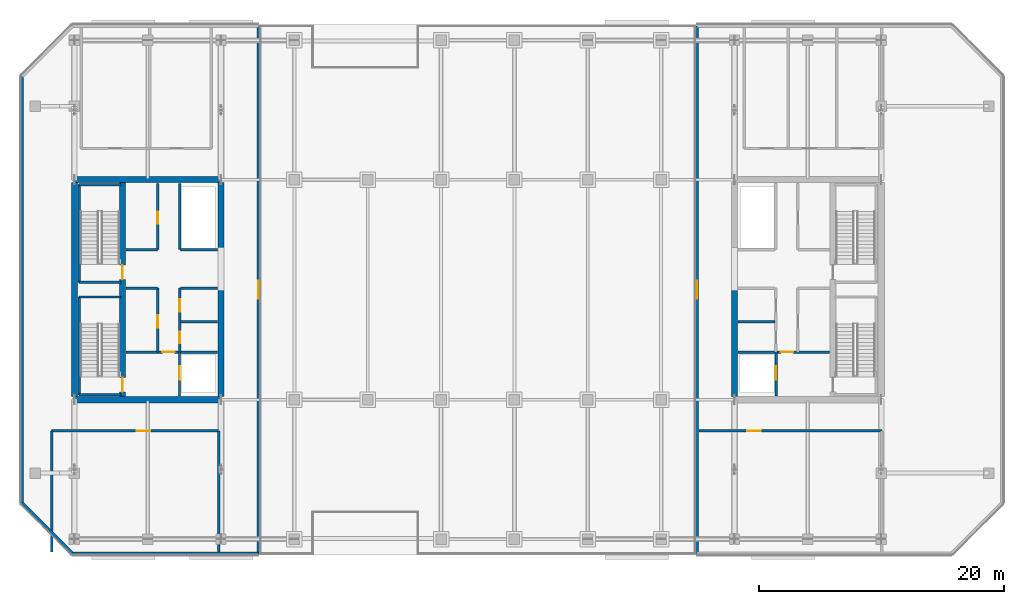
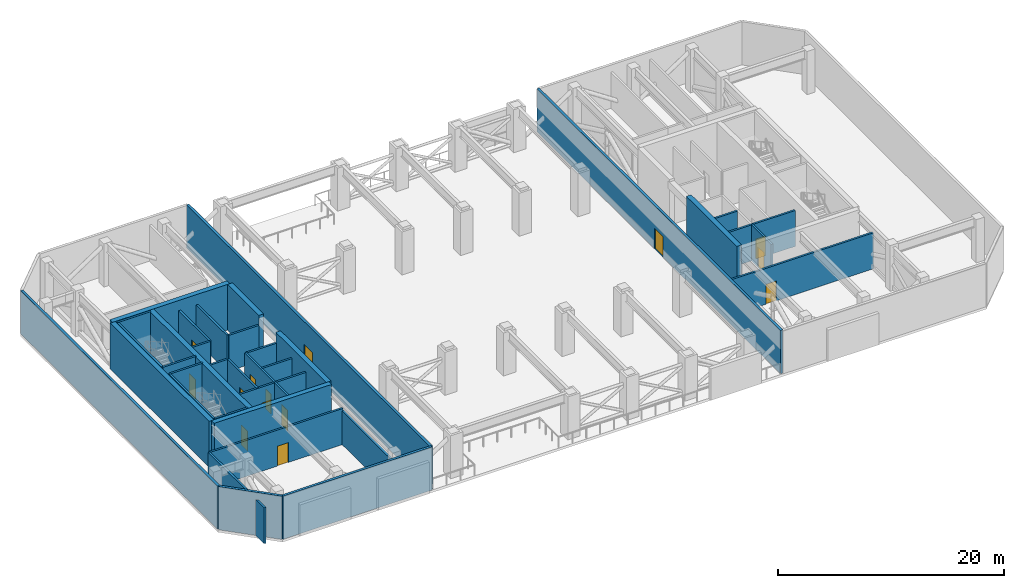
# One storey, part 11 of 18: 36 walls, 14 doors, 14 openings.
"""IFC4 building model written with IfcOpenShell, lengths in metres."""

from ifc_helpers import new_model, si_unit, direction, frame, frame_2d, origin, place, context, subcontext, project, spatial, rectangle, extrude, material, layer, layer_set, type_object, element, fill, save


model = new_model("IFC4")

# Units and contexts
model_context = context("Model", 3, precision=1e-05, world=origin(), true_north=direction((0.0, 1.0)))
body_context = subcontext(model_context, "Body", "Model", "MODEL_VIEW")
ifc_project = project(units=[si_unit("LENGTHUNIT", "METRE"), si_unit("AREAUNIT", "SQUARE_METRE"), si_unit("VOLUMEUNIT", "CUBIC_METRE"), si_unit("PLANEANGLEUNIT", "RADIAN"), si_unit("MASSUNIT", "GRAM", prefix="KILO")], contexts=[model_context])

# Site, building, storey
site_placement = place(None, origin())
site = spatial("IfcSite", under=ifc_project, at=site_placement, CompositionType="ELEMENT")
building_placement = place(site_placement, origin())
building = spatial("IfcBuilding", under=site, at=building_placement, Name="Tanjung Sevakor Pilgrim Tower", CompositionType="ELEMENT")
storey_placement = place(building_placement, frame((0.0, 0.0, 172.919921875)))
storey = spatial("IfcBuildingStorey", under=building, at=storey_placement, Name="L48", CompositionType="ELEMENT", Elevation=172.919921875)

# Walls
ifc_material_1 = material(Name="Concrete C60/75", Category="concrete")
ifc_layer_1 = layer(ifc_material_1, 0.5)
ifc_layer_set_1 = layer_set([ifc_layer_1], Name="WALL-CW-500")
wall_type_1 = type_object("IfcWallType", Name="WALL-CW-500", PredefinedType="SHEAR", material=ifc_layer_set_1)
for number, where, z_axis, x_axis, name in (
    (1, (24.0, 24.60009765625, 0.0), (0.0, 0.0, 1.0), (1.0, 0.0, 0.0), "L48 W Core South Shear Wall"),
    (2, (36.0, 42.60009765625, 0.0), (0.0, 0.0, 1.0), (-1.0, 0.0, 0.0), "L48 W Core North Shear Wall"),
):
    element("IfcWall", number, at=place(storey_placement, frame(where, z_axis=z_axis, x_axis=x_axis)), inside=storey, type_object=wall_type_1, Name=name, PredefinedType="SHEAR", context=body_context, shape_type="SweptSolid", body=[
        extrude(rectangle(XDim=12.0, YDim=0.5, at=frame_2d((6.0, 0.0))), origin(), (0.0, 0.0, 1.0), 4.9501953125),
    ])
wall_1_placement = place(storey_placement, frame((24.0, 24.85009765625, 0.0), z_axis=(0.0, 0.0, 1.0), x_axis=(0.0, 1.0, 0.0)))
element("IfcWall", 3, at=wall_1_placement, inside=storey, type_object=wall_type_1, Name="L48 W Core Outer Shear Wall", PredefinedType="SHEAR", context=body_context, shape_type="SweptSolid", body=[
    extrude(rectangle(XDim=17.5, YDim=0.5, at=frame_2d((8.75, 0.0))), origin(), (0.0, 0.0, 1.0), 4.9501953125),
])
wall_2_placement = place(storey_placement, frame((36.0, 24.85009765625, 0.0), z_axis=(0.0, 0.0, 1.0), x_axis=(0.0, 1.0, 0.0)))
element("IfcWall", 4, at=wall_2_placement, inside=storey, type_object=wall_type_1, Name="L48 W Core Inner Shear Wall South", PredefinedType="SHEAR", context=body_context, shape_type="SweptSolid", body=[
    extrude(rectangle(XDim=8.949951171875, YDim=0.5, at=frame_2d((4.47509765625, 0.0))), origin(), (0.0, 0.0, 1.0), 4.9501953125),
])
wall_3_placement = place(storey_placement, frame((36.0, 36.800048828125, 0.0), z_axis=(0.0, 0.0, 1.0), x_axis=(0.0, 1.0, 0.0)))
element("IfcWall", 5, at=wall_3_placement, inside=storey, type_object=wall_type_1, Name="L48 W Core Inner Shear Wall North", PredefinedType="SHEAR", context=body_context, shape_type="SweptSolid", body=[
    extrude(rectangle(XDim=5.550048828125, YDim=0.5, at=frame_2d((2.77490234375, 0.0))), origin(), (0.0, 0.0, 1.0), 4.9501953125),
])

# Wall, openings, doors
wall_4_placement = place(storey_placement, frame((27.949951171875, 24.85009765625, 0.0), z_axis=(0.0, 0.0, 1.0), x_axis=(0.0, 1.0, 0.0)))
wall_4 = element("IfcWall", 6, at=wall_4_placement, inside=storey, type_object=wall_type_1, Name="L48 W Core Stair Spine Wall", PredefinedType="SHEAR", context=body_context, shape_type="SweptSolid", body=[
    extrude(rectangle(XDim=17.5, YDim=0.5, at=frame_2d((8.75, 0.0))), origin(), (0.0, 0.0, 1.0), 4.9501953125),
])
opening_1_placement = place(wall_4_placement, frame((0.39990234375, 0.0, 0.0)))
opening_1 = element("IfcOpeningElement", 7, at=opening_1_placement, cuts=wall_4, Name="Opening ID-ST1", PredefinedType="OPENING", context=body_context, shape_type="SweptSolid", body=[
    extrude(rectangle(XDim=1.14990234375, YDim=2.14990234375, at=frame_2d((0.574951171875, 1.074951171875))), frame((0.0, 0.260009765625, 0.0), z_axis=(0.0, -1.0, 0.0), x_axis=(1.0, 0.0, 0.0)), (0.0, 0.0, 1.0), 0.52001953125),
])
opening_2_placement = place(wall_4_placement, frame((9.60009765625, 0.0, 0.0)))
opening_2 = element("IfcOpeningElement", 8, at=opening_2_placement, cuts=wall_4, Name="Opening ID-ST1", PredefinedType="OPENING", context=body_context, shape_type="SweptSolid", body=[
    extrude(rectangle(XDim=1.14990234375, YDim=2.14990234375, at=frame_2d((0.574951171875, 1.074951171875))), frame((0.0, 0.260009765625, 0.0), z_axis=(0.0, -1.0, 0.0), x_axis=(1.0, 0.0, 0.0)), (0.0, 0.0, 1.0), 0.52001953125),
])
ifc_material_2 = material(Name="Fire-Rated Steel S355J2", Category="steel")
door_type_1 = type_object("IfcDoorType", Name="DT-FIRE-1150", OperationType="NOTDEFINED", PredefinedType="DOOR", material=ifc_material_2)
door_1_placement = place(opening_1_placement, origin())
door_1 = element("IfcDoor", 9, at=door_1_placement, inside=storey, type_object=door_type_1, Name="L48 TS-W1 Stair Fire Door", OperationType="SINGLE_SWING_LEFT", OverallHeight=2.14990234375, OverallWidth=1.14990234375, PredefinedType="DOOR", context=body_context, shape_type="SweptSolid", body=[
    extrude(rectangle(XDim=1.14990234375, YDim=2.14990234375, at=frame_2d((0.574951171875, 1.074951171875))), frame((0.0, 0.02490234375, 0.0), z_axis=(0.0, -1.0, 0.0), x_axis=(1.0, 0.0, 0.0)), (0.0, 0.0, 1.0), 0.050048828125),
])
fill(opening_1, door_1)
door_2_placement = place(opening_2_placement, origin())
door_2 = element("IfcDoor", 10, at=door_2_placement, inside=storey, type_object=door_type_1, Name="L48 TS-W2 Stair Fire Door", OperationType="SINGLE_SWING_RIGHT", OverallHeight=2.14990234375, OverallWidth=1.14990234375, PredefinedType="DOOR", context=body_context, shape_type="SweptSolid", body=[
    extrude(rectangle(XDim=1.14990234375, YDim=2.14990234375, at=frame_2d((0.574951171875, 1.074951171875))), frame((0.0, 0.02490234375, 0.0), z_axis=(0.0, -1.0, 0.0), x_axis=(1.0, 0.0, 0.0)), (0.0, 0.0, 1.0), 0.050048828125),
])
fill(opening_2, door_2)

# Walls
wall_5_placement = place(storey_placement, frame((78.0, 24.85009765625, 0.0), z_axis=(0.0, 0.0, 1.0), x_axis=(0.0, 1.0, 0.0)))
element("IfcWall", 11, at=wall_5_placement, inside=storey, type_object=wall_type_1, Name="L48 E Core Inner Shear Wall South", PredefinedType="SHEAR", context=body_context, shape_type="SweptSolid", body=[
    extrude(rectangle(XDim=8.949951171875, YDim=0.5, at=frame_2d((4.47509765625, 0.0))), origin(), (0.0, 0.0, 1.0), 4.9501953125),
])
ifc_material_3 = material(Name="Precast concrete C45/55", Category="concrete")
ifc_layer_2 = layer(ifc_material_3, 0.25)
ifc_layer_set_2 = layer_set([ifc_layer_2], Name="WT-EW-STN3")
wall_type_2 = type_object("IfcWallType", Name="WT-EW-STN3", PredefinedType="SOLIDWALL", material=ifc_layer_set_2)
wall_6_placement = place(storey_placement, frame((23.851806640625, 12.02490234375, 0.0), z_axis=(0.0, 0.0, 1.0), x_axis=(1.0, 0.0, 0.0)))
element("IfcWall", 12, at=wall_6_placement, inside=storey, type_object=wall_type_2, Name="L48 West Refuge Wing Wall 1", PredefinedType="SOLIDWALL", context=body_context, shape_type="SweptSolid", body=[
    extrude(rectangle(XDim=15.22314453125, YDim=0.25, at=frame_2d((7.611572265625, 0.0))), origin(), (0.0, 0.0, 1.0), 4.669921875),
])

# Wall, opening, door
wall_7_placement = place(storey_placement, frame((39.074951171875, 12.02490234375, 0.0), z_axis=(0.0, 0.0, 1.0), x_axis=(0.0, 1.0, 0.0)))
wall_7 = element("IfcWall", 13, at=wall_7_placement, inside=storey, type_object=wall_type_2, Name="L48 West Refuge Wing Wall 2", PredefinedType="SOLIDWALL", context=body_context, shape_type="SweptSolid", body=[
    extrude(rectangle(XDim=43.150146484375, YDim=0.25, at=frame_2d((21.5751953125, 0.0))), origin(), (0.0, 0.0, 1.0), 4.669921875),
])
opening_3_placement = place(wall_7_placement, frame((20.824951171875, 0.0, 0.0)))
opening_3 = element("IfcOpeningElement", 14, at=opening_3_placement, cuts=wall_7, Name="Opening ED-TER-1500", PredefinedType="OPENING", context=body_context, shape_type="SweptSolid", body=[
    extrude(rectangle(XDim=1.5, YDim=2.199951171875, at=frame_2d((0.75, 1.10009765625))), frame((0.0, 0.135009765625, 0.0), z_axis=(0.0, -1.0, 0.0), x_axis=(1.0, 0.0, 0.0)), (0.0, 0.0, 1.0), 0.27001953125),
])
ifc_material_4 = material(Name="Anodised Aluminium and Laminated Glass", Category="aluminium")
door_type_2 = type_object("IfcDoorType", Name="DTYP-ED-TER-1500", OperationType="DOUBLE_DOOR_SINGLE_SWING", PredefinedType="DOOR", material=ifc_material_4)
door_3_placement = place(opening_3_placement, origin())
door_3 = element("IfcDoor", 15, at=door_3_placement, inside=storey, type_object=door_type_2, Name="L48 West Turbine Portal Door", OperationType="SINGLE_SWING_RIGHT", OverallHeight=2.199951171875, OverallWidth=1.5, PredefinedType="DOOR", context=body_context, shape_type="SweptSolid", body=[
    extrude(rectangle(XDim=1.5, YDim=2.199951171875, at=frame_2d((0.75, 1.10009765625))), frame((0.0, 0.02490234375, 0.0), z_axis=(0.0, -1.0, 0.0), x_axis=(1.0, 0.0, 0.0)), (0.0, 0.0, 1.0), 0.050048828125),
])
fill(opening_3, door_3)

# Walls
wall_8_placement = place(storey_placement, frame((19.72509765625, 51.048095703125, 0.0), z_axis=(0.0, 0.0, 1.0), x_axis=(0.0, -1.0, 0.0)))
element("IfcWall", 16, at=wall_8_placement, inside=storey, type_object=wall_type_2, Name="L48 West Refuge Wing Wall 5", PredefinedType="SOLIDWALL", context=body_context, shape_type="SweptSolid", body=[
    extrude(rectangle(XDim=34.896240234375, YDim=0.25, at=frame_2d((17.4482421875, 0.0))), origin(), (0.0, 0.0, 1.0), 4.669921875),
])
wall_9_placement = place(storey_placement, frame((19.72509765625, 16.15185546875, 0.0), z_axis=(0.0, 0.0, 1.0), x_axis=(0.70708586489, -0.707127696864, 0.0)))
element("IfcWall", 17, at=wall_9_placement, inside=storey, type_object=wall_type_2, Name="L48 West Refuge Wing Wall 6", PredefinedType="SOLIDWALL", context=body_context, shape_type="SweptSolid", body=[
    extrude(rectangle(XDim=5.836181640625, YDim=0.25, at=frame_2d((2.91796875, 0.0))), origin(), (0.0, 0.0, 1.0), 4.669921875),
])

# Wall, opening, door
wall_10_placement = place(storey_placement, frame((74.925048828125, 55.175048828125, 0.0), z_axis=(0.0, 0.0, 1.0), x_axis=(0.0, -1.0, 0.0)))
wall_10 = element("IfcWall", 18, at=wall_10_placement, inside=storey, type_object=wall_type_2, Name="L48 East Refuge Wing Wall 6", PredefinedType="SOLIDWALL", context=body_context, shape_type="SweptSolid", body=[
    extrude(rectangle(XDim=43.150146484375, YDim=0.25, at=frame_2d((21.5751953125, 0.0))), origin(), (0.0, 0.0, 1.0), 4.669921875),
])
opening_4_placement = place(wall_10_placement, frame((20.824951171875, 0.0, 0.0)))
opening_4 = element("IfcOpeningElement", 19, at=opening_4_placement, cuts=wall_10, Name="Opening ED-TER-1500", PredefinedType="OPENING", context=body_context, shape_type="SweptSolid", body=[
    extrude(rectangle(XDim=1.5, YDim=2.199951171875, at=frame_2d((0.75, 1.10009765625))), frame((0.0, 0.135009765625, 0.0), z_axis=(0.0, -1.0, 0.0), x_axis=(1.0, 0.0, 0.0)), (0.0, 0.0, 1.0), 0.27001953125),
])
door_4_placement = place(opening_4_placement, origin())
door_4 = element("IfcDoor", 20, at=door_4_placement, inside=storey, type_object=door_type_2, Name="L48 East Turbine Portal Door", OperationType="SINGLE_SWING_LEFT", OverallHeight=2.199951171875, OverallWidth=1.5, PredefinedType="DOOR", context=body_context, shape_type="SweptSolid", body=[
    extrude(rectangle(XDim=1.5, YDim=2.199951171875, at=frame_2d((0.75, 1.10009765625))), frame((0.0, 0.02490234375, 0.0), z_axis=(0.0, -1.0, 0.0), x_axis=(1.0, 0.0, 0.0)), (0.0, 0.0, 1.0), 0.050048828125),
])
fill(opening_4, door_4)

# Walls
ifc_material_5 = material(Name="Concrete C40/50", Category="concrete")
ifc_layer_3 = layer(ifc_material_5, 0.199951171875)
ifc_layer_set_3 = layer_set([ifc_layer_3], Name="WT-FIRE-200")
wall_type_3 = type_object("IfcWallType", Name="WT-FIRE-200", PredefinedType="SOLIDWALL", material=ifc_layer_set_3)
for number, where, z_axis, x_axis, name in (
    (21, (24.39990234375, 25.0, 0.0), (0.0, 0.0, 1.0), (1.0, 0.0, 0.0), "L48 TS-W1 Shaft Wall 1"),
    (22, (27.800048828125, 33.0, 0.0), (0.0, 0.0, 1.0), (-1.0, 0.0, 0.0), "L48 TS-W1 Shaft Wall 2"),
):
    element("IfcWall", number, at=place(storey_placement, frame(where, z_axis=z_axis, x_axis=x_axis)), inside=storey, type_object=wall_type_3, Name=name, PredefinedType="SOLIDWALL", context=body_context, shape_type="SweptSolid", body=[
        extrude(rectangle(XDim=3.400146484375, YDim=0.199951171875, at=frame_2d((1.7001953125, 0.0))), origin(), (0.0, 0.0, 1.0), 4.9501953125),
    ])
wall_11_placement = place(storey_placement, frame((24.39990234375, 33.0, 0.0), z_axis=(0.0, 0.0, 1.0), x_axis=(0.0, -1.0, 0.0)))
element("IfcWall", 23, at=wall_11_placement, inside=storey, type_object=wall_type_3, Name="L48 TS-W1 Shaft Wall 3", PredefinedType="SOLIDWALL", context=body_context, shape_type="SweptSolid", body=[
    extrude(rectangle(XDim=8.0, YDim=0.199951171875, at=frame_2d((4.0, 0.0))), origin(), (0.0, 0.0, 1.0), 4.9501953125),
])
for number, where, z_axis, x_axis, name in (
    (24, (24.39990234375, 34.199951171875, 0.0), (0.0, 0.0, 1.0), (1.0, 0.0, 0.0), "L48 TS-W2 Shaft Wall 1"),
    (25, (27.800048828125, 42.199951171875, 0.0), (0.0, 0.0, 1.0), (-1.0, 0.0, 0.0), "L48 TS-W2 Shaft Wall 2"),
):
    element("IfcWall", number, at=place(storey_placement, frame(where, z_axis=z_axis, x_axis=x_axis)), inside=storey, type_object=wall_type_3, Name=name, PredefinedType="SOLIDWALL", context=body_context, shape_type="SweptSolid", body=[
        extrude(rectangle(XDim=3.400146484375, YDim=0.199951171875, at=frame_2d((1.7001953125, 0.0))), origin(), (0.0, 0.0, 1.0), 4.9501953125),
    ])
wall_12_placement = place(storey_placement, frame((24.39990234375, 42.199951171875, 0.0), z_axis=(0.0, 0.0, 1.0), x_axis=(0.0, -1.0, 0.0)))
element("IfcWall", 26, at=wall_12_placement, inside=storey, type_object=wall_type_3, Name="L48 TS-W2 Shaft Wall 3", PredefinedType="SOLIDWALL", context=body_context, shape_type="SweptSolid", body=[
    extrude(rectangle(XDim=8.0, YDim=0.199951171875, at=frame_2d((4.0, 0.0))), origin(), (0.0, 0.0, 1.0), 4.9501953125),
])

# Wall, opening, door
ifc_material_6 = material(Name="Concrete C40/50", Category="concrete")
ifc_layer_4 = layer(ifc_material_6, 0.199951171875)
ifc_layer_set_4 = layer_set([ifc_layer_4], Name="WT-FPRT-200")
wall_type_4 = type_object("IfcWallType", Name="WT-FPRT-200", PredefinedType="SOLIDWALL", material=ifc_layer_set_4)
wall_13_placement = place(storey_placement, frame((32.60009765625, 24.919921875, 0.0), z_axis=(0.0, 0.0, 1.0), x_axis=(0.0, 1.0, 0.0)))
wall_13 = element("IfcWall", 27, at=wall_13_placement, inside=storey, type_object=wall_type_4, Name="L48 Partition IW-L48-001", PredefinedType="SOLIDWALL", context=body_context, shape_type="SweptSolid", body=[
    extrude(rectangle(XDim=3.580078125, YDim=0.199951171875, at=frame_2d((1.7900390625, 0.0))), origin(), (0.0, 0.0, 1.0), 3.889892578125),
])
opening_5_placement = place(wall_13_placement, frame((1.300048828125, 0.0, 0.0)))
opening_5 = element("IfcOpeningElement", 28, at=opening_5_placement, cuts=wall_13, Name="Opening LD-1100", PredefinedType="OPENING", context=body_context, shape_type="SweptSolid", body=[
    extrude(rectangle(XDim=1.10009765625, YDim=2.199951171875, at=frame_2d((0.550048828125, 1.10009765625))), frame((0.0, 0.10986328125, 0.0), z_axis=(0.0, -1.0, 0.0), x_axis=(1.0, 0.0, 0.0)), (0.0, 0.0, 1.0), 0.219970703125),
])
ifc_material_7 = material(Name="Brushed Stainless Steel S355J2", Category="steel")
door_type_3 = type_object("IfcDoorType", Name="DT-LIFT-1100", OperationType="SLIDING_TO_LEFT", PredefinedType="DOOR", material=ifc_material_7)
door_5_placement = place(opening_5_placement, origin())
door_5 = element("IfcDoor", 29, at=door_5_placement, inside=storey, type_object=door_type_3, Name="LD-FL-W", OperationType="SLIDING_TO_LEFT", OverallHeight=2.199951171875, OverallWidth=1.10009765625, PredefinedType="DOOR", context=body_context, shape_type="SweptSolid", body=[
    extrude(rectangle(XDim=1.10009765625, YDim=2.199951171875, at=frame_2d((0.550048828125, 1.10009765625))), frame((0.0, 0.02490234375, 0.0), z_axis=(0.0, -1.0, 0.0), x_axis=(1.0, 0.0, 0.0)), (0.0, 0.0, 1.0), 0.050048828125),
])
fill(opening_5, door_5)

wall_14_placement = place(storey_placement, frame((28.219970703125, 28.5, 0.0), z_axis=(0.0, 0.0, 1.0), x_axis=(1.0, 0.0, 0.0)))
wall_14 = element("IfcWall", 30, at=wall_14_placement, inside=storey, type_object=wall_type_4, Name="L48 Partition IW-L48-002", PredefinedType="SOLIDWALL", context=body_context, shape_type="SweptSolid", body=[
    extrude(rectangle(XDim=7.510009765625, YDim=0.199951171875, at=frame_2d((3.7548828125, 0.0))), origin(), (0.0, 0.0, 1.0), 3.889892578125),
])
opening_6_placement = place(wall_14_placement, frame((2.97998046875, 0.0, 0.0)))
opening_6 = element("IfcOpeningElement", 31, at=opening_6_placement, cuts=wall_14, Name="Opening ID-FD1", PredefinedType="OPENING", context=body_context, shape_type="SweptSolid", body=[
    extrude(rectangle(XDim=1.0, YDim=2.14990234375, at=frame_2d((0.5, 1.074951171875))), frame((0.0, 0.10986328125, 0.0), z_axis=(0.0, -1.0, 0.0), x_axis=(1.0, 0.0, 0.0)), (0.0, 0.0, 1.0), 0.219970703125),
])
ifc_material_8 = material(Name="Fire-Rated Steel S355J2", Category="steel")
door_type_4 = type_object("IfcDoorType", Name="DT-FIRE-1000", OperationType="NOTDEFINED", PredefinedType="DOOR", material=ifc_material_8)
door_6_placement = place(opening_6_placement, origin())
door_6 = element("IfcDoor", 32, at=door_6_placement, inside=storey, type_object=door_type_4, Name="Fire Lobby Door W", OperationType="SINGLE_SWING_LEFT", OverallHeight=2.14990234375, OverallWidth=1.0, PredefinedType="DOOR", context=body_context, shape_type="SweptSolid", body=[
    extrude(rectangle(XDim=1.0, YDim=2.14990234375, at=frame_2d((0.5, 1.074951171875))), frame((0.0, 0.02490234375, 0.0), z_axis=(0.0, -1.0, 0.0), x_axis=(1.0, 0.0, 0.0)), (0.0, 0.0, 1.0), 0.050048828125),
])
fill(opening_6, door_6)

# Wall
wall_15_placement = place(storey_placement, frame((28.219970703125, 33.719970703125, 0.0), z_axis=(0.0, 0.0, 1.0), x_axis=(1.0, 0.0, 0.0)))
element("IfcWall", 33, at=wall_15_placement, inside=storey, type_object=wall_type_4, Name="L48 Partition IW-L48-003", PredefinedType="SOLIDWALL", context=body_context, shape_type="SweptSolid", body=[
    extrude(rectangle(XDim=2.580078125, YDim=0.199951171875, at=frame_2d((1.2900390625, 0.0))), origin(), (0.0, 0.0, 1.0), 3.889892578125),
])

# Wall, opening, door
wall_16_placement = place(storey_placement, frame((30.820068359375, 28.5, 0.0), z_axis=(0.0, 0.0, 1.0), x_axis=(0.0, 1.0, 0.0)))
wall_16 = element("IfcWall", 34, at=wall_16_placement, inside=storey, type_object=wall_type_4, Name="L48 Partition IW-L48-004", PredefinedType="SOLIDWALL", context=body_context, shape_type="SweptSolid", body=[
    extrude(rectangle(XDim=5.219970703125, YDim=0.199951171875, at=frame_2d((2.60986328125, 0.0))), origin(), (0.0, 0.0, 1.0), 3.889892578125),
])
opening_7_placement = place(wall_16_placement, frame((2.0, 0.0, 0.0)))
opening_7 = element("IfcOpeningElement", 35, at=opening_7_placement, cuts=wall_16, Name="Opening ID-FD1", PredefinedType="OPENING", context=body_context, shape_type="SweptSolid", body=[
    extrude(rectangle(XDim=1.0, YDim=2.14990234375, at=frame_2d((0.5, 1.074951171875))), frame((0.0, 0.10986328125, 0.0), z_axis=(0.0, -1.0, 0.0), x_axis=(1.0, 0.0, 0.0)), (0.0, 0.0, 1.0), 0.219970703125),
])
door_7_placement = place(opening_7_placement, origin())
door_7 = element("IfcDoor", 36, at=door_7_placement, inside=storey, type_object=door_type_4, Name="L48 Core Plant Door", OperationType="SINGLE_SWING_RIGHT", OverallHeight=2.14990234375, OverallWidth=1.0, PredefinedType="DOOR", context=body_context, shape_type="SweptSolid", body=[
    extrude(rectangle(XDim=1.0, YDim=2.14990234375, at=frame_2d((0.5, 1.074951171875))), frame((0.0, 0.02490234375, 0.0), z_axis=(0.0, -1.0, 0.0), x_axis=(1.0, 0.0, 0.0)), (0.0, 0.0, 1.0), 0.050048828125),
])
fill(opening_7, door_7)

# Walls
for number, where, z_axis, x_axis, name in (
    (37, (32.679931640625, 30.97998046875, 0.0), (0.0, 0.0, 1.0), (1.0, 0.0, 0.0), "L48 Partition IW-L48-005"),
    (38, (32.679931640625, 33.719970703125, 0.0), (0.0, 0.0, 1.0), (1.0, 0.0, 0.0), "L48 Partition IW-L48-006"),
):
    element("IfcWall", number, at=place(storey_placement, frame(where, z_axis=z_axis, x_axis=x_axis)), inside=storey, type_object=wall_type_4, Name=name, PredefinedType="SOLIDWALL", context=body_context, shape_type="SweptSolid", body=[
        extrude(rectangle(XDim=3.050048828125, YDim=0.199951171875, at=frame_2d((1.52490234375, 0.0))), origin(), (0.0, 0.0, 1.0), 3.889892578125),
    ])

# Wall, openings, doors
wall_17_placement = place(storey_placement, frame((32.6201171875, 28.5, 0.0), z_axis=(0.0, 0.0, 1.0), x_axis=(0.0, 1.0, 0.0)))
wall_17 = element("IfcWall", 39, at=wall_17_placement, inside=storey, type_object=wall_type_4, Name="L48 Partition IW-L48-007", PredefinedType="SOLIDWALL", context=body_context, shape_type="SweptSolid", body=[
    extrude(rectangle(XDim=5.219970703125, YDim=0.199951171875, at=frame_2d((2.60986328125, 0.0))), origin(), (0.0, 0.0, 1.0), 3.889892578125),
])
opening_8_placement = place(wall_17_placement, frame((0.699951171875, 0.0, 0.0)))
opening_8 = element("IfcOpeningElement", 40, at=opening_8_placement, cuts=wall_17, Name="Opening ID-FD2", PredefinedType="OPENING", context=body_context, shape_type="SweptSolid", body=[
    extrude(rectangle(XDim=0.949951171875, YDim=2.14990234375, at=frame_2d((0.47509765625, 1.074951171875))), frame((0.0, 0.10986328125, 0.0), z_axis=(0.0, -1.0, 0.0), x_axis=(1.0, 0.0, 0.0)), (0.0, 0.0, 1.0), 0.219970703125),
])
opening_9_placement = place(wall_17_placement, frame((3.300048828125, 0.0, 0.0)))
opening_9 = element("IfcOpeningElement", 41, at=opening_9_placement, cuts=wall_17, Name="Opening ID-FD1", PredefinedType="OPENING", context=body_context, shape_type="SweptSolid", body=[
    extrude(rectangle(XDim=1.0, YDim=2.14990234375, at=frame_2d((0.5, 1.074951171875))), frame((0.0, 0.10986328125, 0.0), z_axis=(0.0, -1.0, 0.0), x_axis=(1.0, 0.0, 0.0)), (0.0, 0.0, 1.0), 0.219970703125),
])
door_8_placement = place(opening_9_placement, origin())
door_8 = element("IfcDoor", 42, at=door_8_placement, inside=storey, type_object=door_type_4, Name="L48 Core AHU Plant Door", OperationType="SINGLE_SWING_RIGHT", OverallHeight=2.14990234375, OverallWidth=1.0, PredefinedType="DOOR", context=body_context, shape_type="SweptSolid", body=[
    extrude(rectangle(XDim=1.0, YDim=2.14990234375, at=frame_2d((0.5, 1.074951171875))), frame((0.0, 0.02490234375, 0.0), z_axis=(0.0, -1.0, 0.0), x_axis=(1.0, 0.0, 0.0)), (0.0, 0.0, 1.0), 0.050048828125),
])
fill(opening_9, door_8)
ifc_material_9 = material(Name="Fire-Rated Timber", Category="wood")
door_type_5 = type_object("IfcDoorType", Name="DT-FIRE-950", OperationType="NOTDEFINED", PredefinedType="DOOR", material=ifc_material_9)
door_9_placement = place(opening_8_placement, origin())
door_9 = element("IfcDoor", 43, at=door_9_placement, inside=storey, type_object=door_type_5, Name="L48 Core Accessible WC Door", OperationType="SINGLE_SWING_LEFT", OverallHeight=2.14990234375, OverallWidth=0.949951171875, PredefinedType="DOOR", context=body_context, shape_type="SweptSolid", body=[
    extrude(rectangle(XDim=0.949951171875, YDim=2.14990234375, at=frame_2d((0.47509765625, 1.074951171875))), frame((0.0, 0.02490234375, 0.0), z_axis=(0.0, -1.0, 0.0), x_axis=(1.0, 0.0, 0.0)), (0.0, 0.0, 1.0), 0.050048828125),
])
fill(opening_8, door_9)

# Wall
wall_18_placement = place(storey_placement, frame((28.219970703125, 36.8798828125, 0.0), z_axis=(0.0, 0.0, 1.0), x_axis=(1.0, 0.0, 0.0)))
element("IfcWall", 44, at=wall_18_placement, inside=storey, type_object=wall_type_4, Name="L48 Partition IW-L48-008", PredefinedType="SOLIDWALL", context=body_context, shape_type="SweptSolid", body=[
    extrude(rectangle(XDim=2.580078125, YDim=0.199951171875, at=frame_2d((1.2900390625, 0.0))), origin(), (0.0, 0.0, 1.0), 3.889892578125),
])

# Wall, opening, door
wall_19_placement = place(storey_placement, frame((30.820068359375, 36.8798828125, 0.0), z_axis=(0.0, 0.0, 1.0), x_axis=(0.0, 1.0, 0.0)))
wall_19 = element("IfcWall", 45, at=wall_19_placement, inside=storey, type_object=wall_type_4, Name="L48 Partition IW-L48-009", PredefinedType="SOLIDWALL", context=body_context, shape_type="SweptSolid", body=[
    extrude(rectangle(XDim=5.420166015625, YDim=0.199951171875, at=frame_2d((2.7099609375, 0.0))), origin(), (0.0, 0.0, 1.0), 3.889892578125),
])
opening_10_placement = place(wall_19_placement, frame((2.10009765625, 0.0, 0.0)))
opening_10 = element("IfcOpeningElement", 46, at=opening_10_placement, cuts=wall_19, Name="Opening ID-FD1", PredefinedType="OPENING", context=body_context, shape_type="SweptSolid", body=[
    extrude(rectangle(XDim=1.0, YDim=2.14990234375, at=frame_2d((0.5, 1.074951171875))), frame((0.0, 0.10986328125, 0.0), z_axis=(0.0, -1.0, 0.0), x_axis=(1.0, 0.0, 0.0)), (0.0, 0.0, 1.0), 0.219970703125),
])
door_10_placement = place(opening_10_placement, origin())
door_10 = element("IfcDoor", 47, at=door_10_placement, inside=storey, type_object=door_type_4, Name="L48 Core Switchroom Door", OperationType="SINGLE_SWING_LEFT", OverallHeight=2.14990234375, OverallWidth=1.0, PredefinedType="DOOR", context=body_context, shape_type="SweptSolid", body=[
    extrude(rectangle(XDim=1.0, YDim=2.14990234375, at=frame_2d((0.5, 1.074951171875))), frame((0.0, 0.02490234375, 0.0), z_axis=(0.0, -1.0, 0.0), x_axis=(1.0, 0.0, 0.0)), (0.0, 0.0, 1.0), 0.050048828125),
])
fill(opening_10, door_10)

# Walls
wall_20_placement = place(storey_placement, frame((32.679931640625, 36.8798828125, 0.0), z_axis=(0.0, 0.0, 1.0), x_axis=(1.0, 0.0, 0.0)))
element("IfcWall", 48, at=wall_20_placement, inside=storey, type_object=wall_type_4, Name="L48 Partition IW-L48-010", PredefinedType="SOLIDWALL", context=body_context, shape_type="SweptSolid", body=[
    extrude(rectangle(XDim=3.050048828125, YDim=0.199951171875, at=frame_2d((1.52490234375, 0.0))), origin(), (0.0, 0.0, 1.0), 3.889892578125),
])
wall_21_placement = place(storey_placement, frame((32.6201171875, 36.8798828125, 0.0), z_axis=(0.0, 0.0, 1.0), x_axis=(0.0, 1.0, 0.0)))
element("IfcWall", 49, at=wall_21_placement, inside=storey, type_object=wall_type_4, Name="L48 Partition IW-L48-011", PredefinedType="SOLIDWALL", context=body_context, shape_type="SweptSolid", body=[
    extrude(rectangle(XDim=5.420166015625, YDim=0.199951171875, at=frame_2d((2.7099609375, 0.0))), origin(), (0.0, 0.0, 1.0), 3.889892578125),
])

# Wall, opening, door
wall_22_placement = place(storey_placement, frame((81.39990234375, 24.919921875, 0.0), z_axis=(0.0, 0.0, 1.0), x_axis=(0.0, 1.0, 0.0)))
wall_22 = element("IfcWall", 50, at=wall_22_placement, inside=storey, type_object=wall_type_4, Name="L48 Partition IW-L48-012", PredefinedType="SOLIDWALL", context=body_context, shape_type="SweptSolid", body=[
    extrude(rectangle(XDim=3.580078125, YDim=0.199951171875, at=frame_2d((1.7900390625, 0.0))), origin(), (0.0, 0.0, 1.0), 3.889892578125),
])
opening_11_placement = place(wall_22_placement, frame((1.300048828125, 0.0, 0.0)))
opening_11 = element("IfcOpeningElement", 51, at=opening_11_placement, cuts=wall_22, Name="Opening LD-1100", PredefinedType="OPENING", context=body_context, shape_type="SweptSolid", body=[
    extrude(rectangle(XDim=1.10009765625, YDim=2.199951171875, at=frame_2d((0.550048828125, 1.10009765625))), frame((0.0, 0.10986328125, 0.0), z_axis=(0.0, -1.0, 0.0), x_axis=(1.0, 0.0, 0.0)), (0.0, 0.0, 1.0), 0.219970703125),
])
door_11_placement = place(opening_11_placement, origin())
door_11 = element("IfcDoor", 52, at=door_11_placement, inside=storey, type_object=door_type_3, Name="LD-FL-E", OperationType="SLIDING_TO_LEFT", OverallHeight=2.199951171875, OverallWidth=1.10009765625, PredefinedType="DOOR", context=body_context, shape_type="SweptSolid", body=[
    extrude(rectangle(XDim=1.10009765625, YDim=2.199951171875, at=frame_2d((0.550048828125, 1.10009765625))), frame((0.0, 0.02490234375, 0.0), z_axis=(0.0, -1.0, 0.0), x_axis=(1.0, 0.0, 0.0)), (0.0, 0.0, 1.0), 0.050048828125),
])
fill(opening_11, door_11)

wall_23_placement = place(storey_placement, frame((78.27001953125, 28.5, 0.0), z_axis=(0.0, 0.0, 1.0), x_axis=(1.0, 0.0, 0.0)))
wall_23 = element("IfcWall", 53, at=wall_23_placement, inside=storey, type_object=wall_type_4, Name="L48 Partition IW-L48-013", PredefinedType="SOLIDWALL", context=body_context, shape_type="SweptSolid", body=[
    extrude(rectangle(XDim=7.510009765625, YDim=0.199951171875, at=frame_2d((3.7548828125, 0.0))), origin(), (0.0, 0.0, 1.0), 3.889892578125),
])
opening_12_placement = place(wall_23_placement, frame((3.530029296875, 0.0, 0.0)))
opening_12 = element("IfcOpeningElement", 54, at=opening_12_placement, cuts=wall_23, Name="Opening ID-FD1", PredefinedType="OPENING", context=body_context, shape_type="SweptSolid", body=[
    extrude(rectangle(XDim=1.0, YDim=2.14990234375, at=frame_2d((0.5, 1.074951171875))), frame((0.0, 0.10986328125, 0.0), z_axis=(0.0, -1.0, 0.0), x_axis=(1.0, 0.0, 0.0)), (0.0, 0.0, 1.0), 0.219970703125),
])
door_12_placement = place(opening_12_placement, origin())
door_12 = element("IfcDoor", 55, at=door_12_placement, inside=storey, type_object=door_type_4, Name="Fire Lobby Door E", OperationType="SINGLE_SWING_LEFT", OverallHeight=2.14990234375, OverallWidth=1.0, PredefinedType="DOOR", context=body_context, shape_type="SweptSolid", body=[
    extrude(rectangle(XDim=1.0, YDim=2.14990234375, at=frame_2d((0.5, 1.074951171875))), frame((0.0, 0.02490234375, 0.0), z_axis=(0.0, -1.0, 0.0), x_axis=(1.0, 0.0, 0.0)), (0.0, 0.0, 1.0), 0.050048828125),
])
fill(opening_12, door_12)

# Wall
wall_24_placement = place(storey_placement, frame((78.27001953125, 30.97998046875, 0.0), z_axis=(0.0, 0.0, 1.0), x_axis=(1.0, 0.0, 0.0)))
element("IfcWall", 56, at=wall_24_placement, inside=storey, type_object=wall_type_4, Name="L48 Partition IW-L48-016", PredefinedType="SOLIDWALL", context=body_context, shape_type="SweptSolid", body=[
    extrude(rectangle(XDim=3.050048828125, YDim=0.199951171875, at=frame_2d((1.52490234375, 0.0))), origin(), (0.0, 0.0, 1.0), 3.889892578125),
])

# Wall, opening, door
wall_25_placement = place(storey_placement, frame((22.14990234375, 22.050048828125, 0.0), z_axis=(0.0, 0.0, 1.0), x_axis=(1.0, 0.0, 0.0)))
wall_25 = element("IfcWall", 57, at=wall_25_placement, inside=storey, type_object=wall_type_4, Name="L48 Partition IW-L48-023", PredefinedType="SOLIDWALL", context=body_context, shape_type="SweptSolid", body=[
    extrude(rectangle(XDim=13.650146484375, YDim=0.199951171875, at=frame_2d((6.8251953125, 0.0))), origin(), (0.0, 0.0, 1.0), 3.889892578125),
])
opening_13_placement = place(wall_25_placement, frame((6.949951171875, 0.0, 0.0)))
opening_13 = element("IfcOpeningElement", 58, at=opening_13_placement, cuts=wall_25, Name="Opening ID-FD0", PredefinedType="OPENING", context=body_context, shape_type="SweptSolid", body=[
    extrude(rectangle(XDim=1.10009765625, YDim=2.14990234375, at=frame_2d((0.550048828125, 1.074951171875))), frame((0.0, 0.10986328125, 0.0), z_axis=(0.0, -1.0, 0.0), x_axis=(1.0, 0.0, 0.0)), (0.0, 0.0, 1.0), 0.219970703125),
])
ifc_material_10 = material(Name="Fire-Rated Steel S355J2", Category="steel")
door_type_6 = type_object("IfcDoorType", Name="DT-FIRE-1100", OperationType="NOTDEFINED", PredefinedType="DOOR", material=ifc_material_10)
door_13_placement = place(opening_13_placement, origin())
door_13 = element("IfcDoor", 59, at=door_13_placement, inside=storey, type_object=door_type_6, Name="L48 Refuge West Lobby Door", OperationType="SINGLE_SWING_RIGHT", OverallHeight=2.14990234375, OverallWidth=1.10009765625, PredefinedType="DOOR", context=body_context, shape_type="SweptSolid", body=[
    extrude(rectangle(XDim=1.10009765625, YDim=2.14990234375, at=frame_2d((0.550048828125, 1.074951171875))), frame((0.0, 0.02490234375, 0.0), z_axis=(0.0, -1.0, 0.0), x_axis=(1.0, 0.0, 0.0)), (0.0, 0.0, 1.0), 0.050048828125),
])
fill(opening_13, door_13)

# Walls
wall_26_placement = place(storey_placement, frame((22.14990234375, 12.14990234375, 0.0), z_axis=(0.0, 0.0, 1.0), x_axis=(0.0, 1.0, 0.0)))
element("IfcWall", 60, at=wall_26_placement, inside=storey, type_object=wall_type_4, Name="L48 Partition IW-L48-024", PredefinedType="SOLIDWALL", context=body_context, shape_type="SweptSolid", body=[
    extrude(rectangle(XDim=9.900146484375, YDim=0.199951171875, at=frame_2d((4.9501953125, 0.0))), origin(), (0.0, 0.0, 1.0), 3.889892578125),
])
wall_27_placement = place(storey_placement, frame((35.800048828125, 12.14990234375, 0.0), z_axis=(0.0, 0.0, 1.0), x_axis=(0.0, 1.0, 0.0)))
element("IfcWall", 61, at=wall_27_placement, inside=storey, type_object=wall_type_4, Name="L48 Partition IW-L48-025", PredefinedType="SOLIDWALL", context=body_context, shape_type="SweptSolid", body=[
    extrude(rectangle(XDim=9.900146484375, YDim=0.199951171875, at=frame_2d((4.9501953125, 0.0))), origin(), (0.0, 0.0, 1.0), 3.64697265625),
])

# Wall, opening, door
wall_28_placement = place(storey_placement, frame((75.10009765625, 22.050048828125, 0.0), z_axis=(0.0, 0.0, 1.0), x_axis=(1.0, 0.0, 0.0)))
wall_28 = element("IfcWall", 62, at=wall_28_placement, inside=storey, type_object=wall_type_4, Name="L48 Partition IW-L48-031", PredefinedType="SOLIDWALL", context=body_context, shape_type="SweptSolid", body=[
    extrude(rectangle(XDim=14.949951171875, YDim=0.199951171875, at=frame_2d((7.47509765625, 0.0))), origin(), (0.0, 0.0, 1.0), 3.889892578125),
])
opening_14_placement = place(wall_28_placement, frame((3.949951171875, 0.0, 0.0)))
opening_14 = element("IfcOpeningElement", 63, at=opening_14_placement, cuts=wall_28, Name="Opening ID-FD0", PredefinedType="OPENING", context=body_context, shape_type="SweptSolid", body=[
    extrude(rectangle(XDim=1.10009765625, YDim=2.14990234375, at=frame_2d((0.550048828125, 1.074951171875))), frame((0.0, 0.10986328125, 0.0), z_axis=(0.0, -1.0, 0.0), x_axis=(1.0, 0.0, 0.0)), (0.0, 0.0, 1.0), 0.219970703125),
])
door_14_placement = place(opening_14_placement, origin())
door_14 = element("IfcDoor", 64, at=door_14_placement, inside=storey, type_object=door_type_6, Name="L48 Refuge East Lobby Door", OperationType="SINGLE_SWING_LEFT", OverallHeight=2.14990234375, OverallWidth=1.10009765625, PredefinedType="DOOR", context=body_context, shape_type="SweptSolid", body=[
    extrude(rectangle(XDim=1.10009765625, YDim=2.14990234375, at=frame_2d((0.550048828125, 1.074951171875))), frame((0.0, 0.02490234375, 0.0), z_axis=(0.0, -1.0, 0.0), x_axis=(1.0, 0.0, 0.0)), (0.0, 0.0, 1.0), 0.050048828125),
])
fill(opening_14, door_14)

save(model, "model.ifc")
